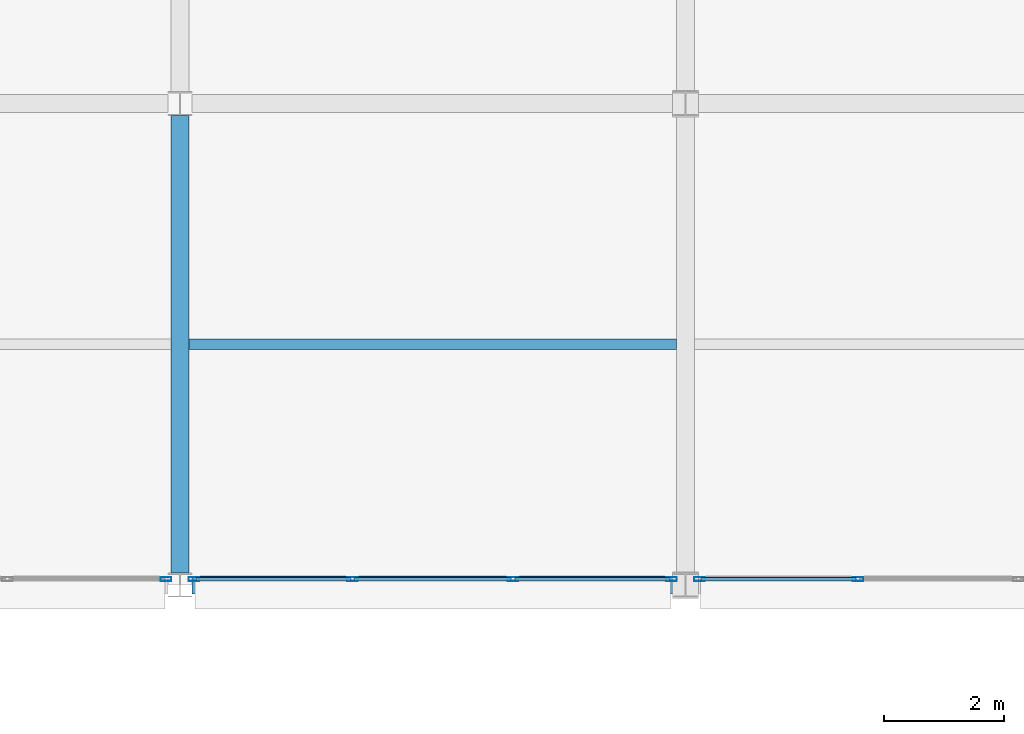
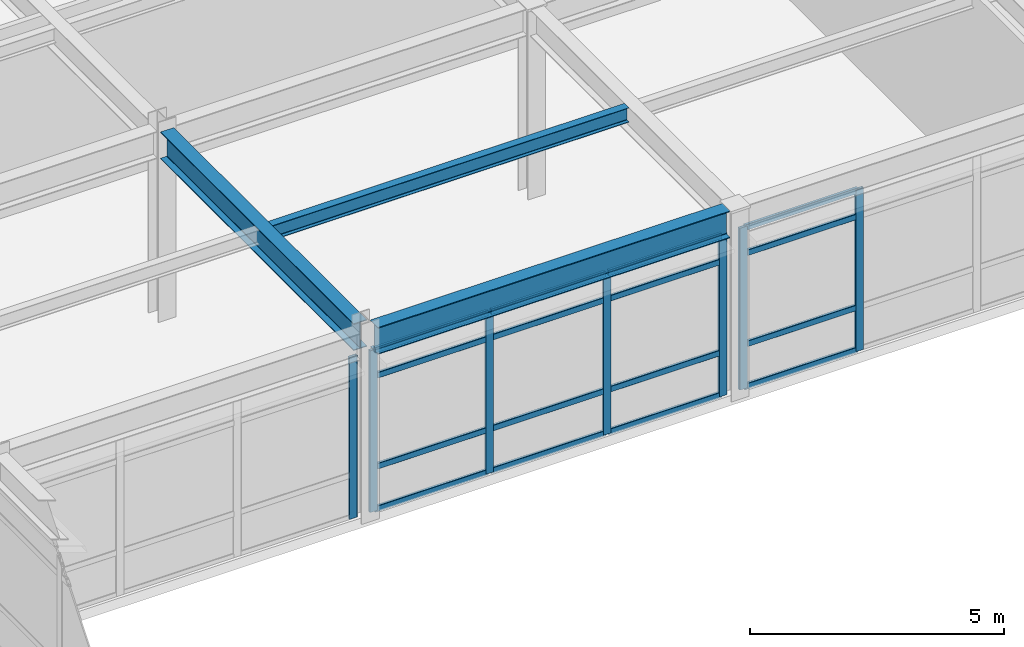
# One storey, part 22 of 93: 23 members, 3 beams, 3 elements without a shape of their own.
"""IFC4 building model written with IfcOpenShell, lengths in metres."""

from ifc_helpers import new_model, si_unit, direction, frame, origin, origin_2d, place, context, subcontext, project, spatial, hollow_rectangle, i_section, extrude, material, layer, layer_set, material_profile, profile_set, type_object, element, aggregate, save


model = new_model("IFC4")

# Units and contexts
model_context = context("Model", 3, precision=1e-05, world=origin(), true_north=direction((0.0, 1.0)))
body_context = subcontext(model_context, "Body", "Model", "MODEL_VIEW")
ifc_project = project(units=[si_unit("LENGTHUNIT", "METRE"), si_unit("AREAUNIT", "SQUARE_METRE"), si_unit("VOLUMEUNIT", "CUBIC_METRE"), si_unit("PLANEANGLEUNIT", "RADIAN"), si_unit("MASSUNIT", "GRAM", prefix="KILO")], contexts=[model_context])

# Site, building, storey
site_placement = place(None, origin())
site = spatial("IfcSite", under=ifc_project, at=site_placement, CompositionType="ELEMENT")
building_placement = place(site_placement, origin())
building = spatial("IfcBuilding", under=site, at=building_placement, Name="Kazehara Bluff Congress Hotel", CompositionType="ELEMENT")
storey_placement = place(building_placement, frame((0.0, 0.0, 15.0)))
storey = spatial("IfcBuildingStorey", under=building, at=storey_placement, Name="L03", CompositionType="ELEMENT", Elevation=15.0)

# Curtain wall, member
ifc_material_1 = material(Name="Anodised aluminium", Category="aluminium")
ifc_layer = layer(ifc_material_1, 0.159912109375)
ifc_layer_set = layer_set([ifc_layer], Name="Anodised aluminium")
curtain_wall_type = type_object("IfcCurtainWallType", Name="TP-CW-143", PredefinedType="NOTDEFINED", material=ifc_layer_set)
curtain_wall_1_placement = place(storey_placement, origin())
curtain_wall_1 = element("IfcCurtainWall", 1, at=curtain_wall_1_placement, inside=storey, type_object=curtain_wall_type, Name="L03 curtain wall CW-143 CW-ENC-V4-L03-8025-1610", PredefinedType="NOTDEFINED")
ifc_material_2 = material(Name="Anodised aluminium", Category="aluminium")
ifc_material_profile_1 = material_profile(ifc_material_2, hollow_rectangle(XDim=0.06494140625, YDim=0.179931640625, WallThickness=0.00390625, InnerFilletRadius=0.00390625, OuterFilletRadius=0.008056640625, at=origin_2d()))
ifc_profile_set_1 = profile_set([ifc_material_profile_1], Name="Anodised aluminium")
member_type_1 = type_object("IfcMemberType", Name="TP-CWM-02", PredefinedType="MULLION", material=ifc_profile_set_1)
member_1_placement = place(storey_placement, frame((84.217529296875, 16.10009765625, 0.0), z_axis=(0.0, 0.0, 1.0), x_axis=(0.0, -1.0, 0.0)))
member_1 = element("IfcMember", 2, at=member_1_placement, type_object=member_type_1, Name="CW-143 mullion 1", PredefinedType="MULLION", context=body_context, shape_type="SweptSolid", body=[
    extrude(hollow_rectangle(XDim=0.06494140625, YDim=0.179931640625, WallThickness=0.00390625, InnerFilletRadius=0.00390625, OuterFilletRadius=0.008056640625, at=origin_2d()), origin(), (0.0, 0.0, 1.0), 3.885009765625),
])
aggregate(curtain_wall_1, [member_1])

# Curtain wall, members
curtain_wall_2_placement = place(storey_placement, origin())
curtain_wall_2 = element("IfcCurtainWall", 3, at=curtain_wall_2_placement, inside=storey, type_object=curtain_wall_type, Name="L03 curtain wall CW-143 CW-ENC-V4-L03-8865-1610", PredefinedType="NOTDEFINED")
member_2_placement = place(storey_placement, frame((92.617431640625, 16.10009765625, 0.0), z_axis=(0.0, 0.0, 1.0), x_axis=(0.0, -1.0, 0.0)))
member_2 = element("IfcMember", 4, at=member_2_placement, type_object=member_type_1, Name="CW-143 mullion 1", PredefinedType="MULLION", context=body_context, shape_type="SweptSolid", body=[
    extrude(hollow_rectangle(XDim=0.06494140625, YDim=0.179931640625, WallThickness=0.00390625, InnerFilletRadius=0.00390625, OuterFilletRadius=0.008056640625, at=origin_2d()), origin(), (0.0, 0.0, 1.0), 3.885009765625),
])
member_3_placement = place(storey_placement, frame((89.9833984375, 16.10009765625, 0.0), z_axis=(0.0, 0.0, 1.0), x_axis=(0.0, -1.0, 0.0)))
member_3 = element("IfcMember", 5, at=member_3_placement, type_object=member_type_1, Name="CW-143 mullion 2", PredefinedType="MULLION", context=body_context, shape_type="SweptSolid", body=[
    extrude(hollow_rectangle(XDim=0.06494140625, YDim=0.179931640625, WallThickness=0.00390625, InnerFilletRadius=0.00390625, OuterFilletRadius=0.008056640625, at=origin_2d()), origin(), (0.0, 0.0, 1.0), 3.885009765625),
])
member_4_placement = place(storey_placement, frame((87.316650390625, 16.10009765625, 0.0), z_axis=(0.0, 0.0, 1.0), x_axis=(0.0, -1.0, 0.0)))
member_4 = element("IfcMember", 6, at=member_4_placement, type_object=member_type_1, Name="CW-143 mullion 3", PredefinedType="MULLION", context=body_context, shape_type="SweptSolid", body=[
    extrude(hollow_rectangle(XDim=0.06494140625, YDim=0.179931640625, WallThickness=0.00390625, InnerFilletRadius=0.00390625, OuterFilletRadius=0.008056640625, at=origin_2d()), origin(), (0.0, 0.0, 1.0), 3.885009765625),
])
member_5_placement = place(storey_placement, frame((84.6826171875, 16.10009765625, 0.0), z_axis=(0.0, 0.0, 1.0), x_axis=(0.0, -1.0, 0.0)))
member_5 = element("IfcMember", 7, at=member_5_placement, type_object=member_type_1, Name="CW-143 mullion 4", PredefinedType="MULLION", context=body_context, shape_type="SweptSolid", body=[
    extrude(hollow_rectangle(XDim=0.06494140625, YDim=0.179931640625, WallThickness=0.00390625, InnerFilletRadius=0.00390625, OuterFilletRadius=0.008056640625, at=origin_2d()), origin(), (0.0, 0.0, 1.0), 3.885009765625),
])

curtain_wall_3_placement = place(storey_placement, origin())
curtain_wall_3 = element("IfcCurtainWall", 8, at=curtain_wall_3_placement, inside=storey, type_object=curtain_wall_type, Name="L03 curtain wall CW-143 CW-ENC-V4-L03-9705-1610", PredefinedType="NOTDEFINED")
member_6_placement = place(storey_placement, frame((95.716552734375, 16.10009765625, 0.0), z_axis=(0.0, 0.0, 1.0), x_axis=(0.0, -1.0, 0.0)))
member_6 = element("IfcMember", 9, at=member_6_placement, type_object=member_type_1, Name="CW-143 mullion 3", PredefinedType="MULLION", context=body_context, shape_type="SweptSolid", body=[
    extrude(hollow_rectangle(XDim=0.06494140625, YDim=0.179931640625, WallThickness=0.00390625, InnerFilletRadius=0.00390625, OuterFilletRadius=0.008056640625, at=origin_2d()), origin(), (0.0, 0.0, 1.0), 3.885009765625),
])
member_7_placement = place(storey_placement, frame((93.08251953125, 16.10009765625, 0.0), z_axis=(0.0, 0.0, 1.0), x_axis=(0.0, -1.0, 0.0)))
member_7 = element("IfcMember", 10, at=member_7_placement, type_object=member_type_1, Name="CW-143 mullion 4", PredefinedType="MULLION", context=body_context, shape_type="SweptSolid", body=[
    extrude(hollow_rectangle(XDim=0.06494140625, YDim=0.179931640625, WallThickness=0.00390625, InnerFilletRadius=0.00390625, OuterFilletRadius=0.008056640625, at=origin_2d()), origin(), (0.0, 0.0, 1.0), 3.885009765625),
])

# Member
ifc_material_3 = material(Name="Anodised aluminium", Category="aluminium")
ifc_material_profile_2 = material_profile(ifc_material_3, hollow_rectangle(XDim=0.06494140625, YDim=0.139892578125, WallThickness=0.00390625, InnerFilletRadius=0.00390625, OuterFilletRadius=0.008056640625, at=origin_2d()))
ifc_profile_set_2 = profile_set([ifc_material_profile_2], Name="Anodised aluminium")
member_type_2 = type_object("IfcMemberType", Name="TP-CWT-02", PredefinedType="USERDEFINED", material=ifc_profile_set_2)
member_8_placement = place(storey_placement, frame((92.5849609375, 16.10009765625, 0.032470703125), z_axis=(-1.0, 0.0, 0.0), x_axis=(0.0, -1.0, 0.0)))
member_8 = element("IfcMember", 11, at=member_8_placement, type_object=member_type_2, Name="CW-143 transom 1.1", ObjectType="TRANSOM", PredefinedType="USERDEFINED", context=body_context, shape_type="SweptSolid", body=[
    extrude(hollow_rectangle(XDim=0.06494140625, YDim=0.139892578125, WallThickness=0.00390625, InnerFilletRadius=0.00390625, OuterFilletRadius=0.008056640625, at=origin_2d()), origin(), (0.0, 0.0, 1.0), 2.569091796875),
])

member_9_placement = place(storey_placement, frame((92.5849609375, 16.10009765625, 1.050048828125), z_axis=(-1.0, 0.0, 0.0), x_axis=(0.0, -1.0, 0.0)))
member_9 = element("IfcMember", 12, at=member_9_placement, type_object=member_type_2, Name="CW-143 transom 1.2", ObjectType="TRANSOM", PredefinedType="USERDEFINED", context=body_context, shape_type="SweptSolid", body=[
    extrude(hollow_rectangle(XDim=0.06494140625, YDim=0.139892578125, WallThickness=0.00390625, InnerFilletRadius=0.00390625, OuterFilletRadius=0.008056640625, at=origin_2d()), origin(), (0.0, 0.0, 1.0), 2.569091796875),
])

member_10_placement = place(storey_placement, frame((92.5849609375, 16.10009765625, 3.235107421875), z_axis=(-1.0, 0.0, 0.0), x_axis=(0.0, -1.0, 0.0)))
member_10 = element("IfcMember", 13, at=member_10_placement, type_object=member_type_2, Name="CW-143 transom 1.3", ObjectType="TRANSOM", PredefinedType="USERDEFINED", context=body_context, shape_type="SweptSolid", body=[
    extrude(hollow_rectangle(XDim=0.06494140625, YDim=0.139892578125, WallThickness=0.00390625, InnerFilletRadius=0.00390625, OuterFilletRadius=0.008056640625, at=origin_2d()), origin(), (0.0, 0.0, 1.0), 2.569091796875),
])

member_11_placement = place(storey_placement, frame((92.5849609375, 16.10009765625, 3.8525390625), z_axis=(-1.0, 0.0, 0.0), x_axis=(0.0, -1.0, 0.0)))
member_11 = element("IfcMember", 14, at=member_11_placement, type_object=member_type_2, Name="CW-143 transom 1.4", ObjectType="TRANSOM", PredefinedType="USERDEFINED", context=body_context, shape_type="SweptSolid", body=[
    extrude(hollow_rectangle(XDim=0.06494140625, YDim=0.139892578125, WallThickness=0.00390625, InnerFilletRadius=0.00390625, OuterFilletRadius=0.008056640625, at=origin_2d()), origin(), (0.0, 0.0, 1.0), 2.569091796875),
])

member_12_placement = place(storey_placement, frame((89.950927734375, 16.10009765625, 0.032470703125), z_axis=(-1.0, 0.0, 0.0), x_axis=(0.0, -1.0, 0.0)))
member_12 = element("IfcMember", 15, at=member_12_placement, type_object=member_type_2, Name="CW-143 transom 2.1", ObjectType="TRANSOM", PredefinedType="USERDEFINED", context=body_context, shape_type="SweptSolid", body=[
    extrude(hollow_rectangle(XDim=0.06494140625, YDim=0.139892578125, WallThickness=0.00390625, InnerFilletRadius=0.00390625, OuterFilletRadius=0.008056640625, at=origin_2d()), origin(), (0.0, 0.0, 1.0), 2.601806640625),
])

member_13_placement = place(storey_placement, frame((89.950927734375, 16.10009765625, 1.050048828125), z_axis=(-1.0, 0.0, 0.0), x_axis=(0.0, -1.0, 0.0)))
member_13 = element("IfcMember", 16, at=member_13_placement, type_object=member_type_2, Name="CW-143 transom 2.2", ObjectType="TRANSOM", PredefinedType="USERDEFINED", context=body_context, shape_type="SweptSolid", body=[
    extrude(hollow_rectangle(XDim=0.06494140625, YDim=0.139892578125, WallThickness=0.00390625, InnerFilletRadius=0.00390625, OuterFilletRadius=0.008056640625, at=origin_2d()), origin(), (0.0, 0.0, 1.0), 2.601806640625),
])

member_14_placement = place(storey_placement, frame((89.950927734375, 16.10009765625, 3.235107421875), z_axis=(-1.0, 0.0, 0.0), x_axis=(0.0, -1.0, 0.0)))
member_14 = element("IfcMember", 17, at=member_14_placement, type_object=member_type_2, Name="CW-143 transom 2.3", ObjectType="TRANSOM", PredefinedType="USERDEFINED", context=body_context, shape_type="SweptSolid", body=[
    extrude(hollow_rectangle(XDim=0.06494140625, YDim=0.139892578125, WallThickness=0.00390625, InnerFilletRadius=0.00390625, OuterFilletRadius=0.008056640625, at=origin_2d()), origin(), (0.0, 0.0, 1.0), 2.601806640625),
])

member_15_placement = place(storey_placement, frame((89.950927734375, 16.10009765625, 3.8525390625), z_axis=(-1.0, 0.0, 0.0), x_axis=(0.0, -1.0, 0.0)))
member_15 = element("IfcMember", 18, at=member_15_placement, type_object=member_type_2, Name="CW-143 transom 2.4", ObjectType="TRANSOM", PredefinedType="USERDEFINED", context=body_context, shape_type="SweptSolid", body=[
    extrude(hollow_rectangle(XDim=0.06494140625, YDim=0.139892578125, WallThickness=0.00390625, InnerFilletRadius=0.00390625, OuterFilletRadius=0.008056640625, at=origin_2d()), origin(), (0.0, 0.0, 1.0), 2.601806640625),
])

member_16_placement = place(storey_placement, frame((87.2841796875, 16.10009765625, 0.032470703125), z_axis=(-1.0, 0.0, 0.0), x_axis=(0.0, -1.0, 0.0)))
member_16 = element("IfcMember", 19, at=member_16_placement, type_object=member_type_2, Name="CW-143 transom 3.1", ObjectType="TRANSOM", PredefinedType="USERDEFINED", context=body_context, shape_type="SweptSolid", body=[
    extrude(hollow_rectangle(XDim=0.06494140625, YDim=0.139892578125, WallThickness=0.00390625, InnerFilletRadius=0.00390625, OuterFilletRadius=0.008056640625, at=origin_2d()), origin(), (0.0, 0.0, 1.0), 2.569091796875),
])

member_17_placement = place(storey_placement, frame((87.2841796875, 16.10009765625, 1.050048828125), z_axis=(-1.0, 0.0, 0.0), x_axis=(0.0, -1.0, 0.0)))
member_17 = element("IfcMember", 20, at=member_17_placement, type_object=member_type_2, Name="CW-143 transom 3.2", ObjectType="TRANSOM", PredefinedType="USERDEFINED", context=body_context, shape_type="SweptSolid", body=[
    extrude(hollow_rectangle(XDim=0.06494140625, YDim=0.139892578125, WallThickness=0.00390625, InnerFilletRadius=0.00390625, OuterFilletRadius=0.008056640625, at=origin_2d()), origin(), (0.0, 0.0, 1.0), 2.569091796875),
])

member_18_placement = place(storey_placement, frame((87.2841796875, 16.10009765625, 3.235107421875), z_axis=(-1.0, 0.0, 0.0), x_axis=(0.0, -1.0, 0.0)))
member_18 = element("IfcMember", 21, at=member_18_placement, type_object=member_type_2, Name="CW-143 transom 3.3", ObjectType="TRANSOM", PredefinedType="USERDEFINED", context=body_context, shape_type="SweptSolid", body=[
    extrude(hollow_rectangle(XDim=0.06494140625, YDim=0.139892578125, WallThickness=0.00390625, InnerFilletRadius=0.00390625, OuterFilletRadius=0.008056640625, at=origin_2d()), origin(), (0.0, 0.0, 1.0), 2.569091796875),
])

member_19_placement = place(storey_placement, frame((87.2841796875, 16.10009765625, 3.8525390625), z_axis=(-1.0, 0.0, 0.0), x_axis=(0.0, -1.0, 0.0)))
member_19 = element("IfcMember", 22, at=member_19_placement, type_object=member_type_2, Name="CW-143 transom 3.4", ObjectType="TRANSOM", PredefinedType="USERDEFINED", context=body_context, shape_type="SweptSolid", body=[
    extrude(hollow_rectangle(XDim=0.06494140625, YDim=0.139892578125, WallThickness=0.00390625, InnerFilletRadius=0.00390625, OuterFilletRadius=0.008056640625, at=origin_2d()), origin(), (0.0, 0.0, 1.0), 2.569091796875),
])

aggregate(curtain_wall_2, [member_2, member_3, member_4, member_5, member_8, member_9, member_10, member_11, member_12, member_13, member_14, member_15, member_16, member_17, member_18, member_19])

member_20_placement = place(storey_placement, frame((95.68408203125, 16.10009765625, 0.032470703125), z_axis=(-1.0, 0.0, 0.0), x_axis=(0.0, -1.0, 0.0)))
member_20 = element("IfcMember", 23, at=member_20_placement, type_object=member_type_2, Name="CW-143 transom 3.1", ObjectType="TRANSOM", PredefinedType="USERDEFINED", context=body_context, shape_type="SweptSolid", body=[
    extrude(hollow_rectangle(XDim=0.06494140625, YDim=0.139892578125, WallThickness=0.00390625, InnerFilletRadius=0.00390625, OuterFilletRadius=0.008056640625, at=origin_2d()), origin(), (0.0, 0.0, 1.0), 2.569091796875),
])

member_21_placement = place(storey_placement, frame((95.68408203125, 16.10009765625, 1.050048828125), z_axis=(-1.0, 0.0, 0.0), x_axis=(0.0, -1.0, 0.0)))
member_21 = element("IfcMember", 24, at=member_21_placement, type_object=member_type_2, Name="CW-143 transom 3.2", ObjectType="TRANSOM", PredefinedType="USERDEFINED", context=body_context, shape_type="SweptSolid", body=[
    extrude(hollow_rectangle(XDim=0.06494140625, YDim=0.139892578125, WallThickness=0.00390625, InnerFilletRadius=0.00390625, OuterFilletRadius=0.008056640625, at=origin_2d()), origin(), (0.0, 0.0, 1.0), 2.569091796875),
])

member_22_placement = place(storey_placement, frame((95.68408203125, 16.10009765625, 3.235107421875), z_axis=(-1.0, 0.0, 0.0), x_axis=(0.0, -1.0, 0.0)))
member_22 = element("IfcMember", 25, at=member_22_placement, type_object=member_type_2, Name="CW-143 transom 3.3", ObjectType="TRANSOM", PredefinedType="USERDEFINED", context=body_context, shape_type="SweptSolid", body=[
    extrude(hollow_rectangle(XDim=0.06494140625, YDim=0.139892578125, WallThickness=0.00390625, InnerFilletRadius=0.00390625, OuterFilletRadius=0.008056640625, at=origin_2d()), origin(), (0.0, 0.0, 1.0), 2.569091796875),
])

member_23_placement = place(storey_placement, frame((95.68408203125, 16.10009765625, 3.8525390625), z_axis=(-1.0, 0.0, 0.0), x_axis=(0.0, -1.0, 0.0)))
member_23 = element("IfcMember", 26, at=member_23_placement, type_object=member_type_2, Name="CW-143 transom 3.4", ObjectType="TRANSOM", PredefinedType="USERDEFINED", context=body_context, shape_type="SweptSolid", body=[
    extrude(hollow_rectangle(XDim=0.06494140625, YDim=0.139892578125, WallThickness=0.00390625, InnerFilletRadius=0.00390625, OuterFilletRadius=0.008056640625, at=origin_2d()), origin(), (0.0, 0.0, 1.0), 2.569091796875),
])

aggregate(curtain_wall_3, [member_6, member_7, member_20, member_21, member_22, member_23])

# Beams
ifc_material_4 = material(Name="Steel SN490B", Category="steel")
ifc_material_profile_3 = material_profile(ifc_material_4, i_section(OverallWidth=0.300048828125, OverallDepth=0.64990234375, WebThickness=0.011962890625, FlangeThickness=0.02001953125, FilletRadius=0.012939453125, at=origin_2d()))
ifc_profile_set_3 = profile_set([ifc_material_profile_3], Name="Steel SN490B")
beam_type_1 = type_object("IfcBeamType", Name="TP-G-03", PredefinedType="BEAM", material=ifc_profile_set_3)
beam_1_placement = place(storey_placement, frame((84.449951171875, 16.199951171875, 4.235107421875), z_axis=(0.0, 1.0, 0.0), x_axis=(-1.0, 0.0, 0.0)))
element("IfcBeam", 27, at=beam_1_placement, inside=storey, type_object=beam_type_1, Name="L03 girder G-03 57", PredefinedType="BEAM", context=body_context, shape_type="SweptSolid", body=[
    extrude(i_section(OverallWidth=0.300048828125, OverallDepth=0.64990234375, WebThickness=0.011962890625, FlangeThickness=0.02001953125, FilletRadius=0.012939453125, at=origin_2d()), origin(), (0.0, 0.0, 1.0), 7.60009765625),
])
beam_2_placement = place(storey_placement, frame((84.64990234375, 16.0, 4.235107421875), z_axis=(1.0, 0.0, 0.0), x_axis=(0.0, 1.0, 0.0)))
element("IfcBeam", 28, at=beam_2_placement, inside=storey, type_object=beam_type_1, Name="L03 girder G-03 76", PredefinedType="BEAM", context=body_context, shape_type="SweptSolid", body=[
    extrude(i_section(OverallWidth=0.300048828125, OverallDepth=0.64990234375, WebThickness=0.011962890625, FlangeThickness=0.02001953125, FilletRadius=0.012939453125, at=origin_2d()), origin(), (0.0, 0.0, 1.0), 8.0),
])
ifc_material_5 = material(Name="Steel SN400B", Category="steel")
ifc_material_profile_4 = material_profile(ifc_material_5, i_section(OverallWidth=0.175048828125, OverallDepth=0.35009765625, WebThickness=0.007080078125, FlangeThickness=0.010986328125, FilletRadius=0.012939453125, at=origin_2d()))
ifc_profile_set_4 = profile_set([ifc_material_profile_4], Name="Steel SN400B")
beam_type_2 = type_object("IfcBeamType", Name="TP-J-02", PredefinedType="JOIST", material=ifc_profile_set_4)
beam_3_placement = place(storey_placement, frame((84.60009765625, 20.0, 4.385009765625), z_axis=(1.0, 0.0, 0.0), x_axis=(0.0, 1.0, 0.0)))
element("IfcBeam", 29, at=beam_3_placement, inside=storey, type_object=beam_type_2, Name="L03 secondary joist J-02 13", PredefinedType="JOIST", context=body_context, shape_type="SweptSolid", body=[
    extrude(i_section(OverallWidth=0.175048828125, OverallDepth=0.35009765625, WebThickness=0.007080078125, FlangeThickness=0.010986328125, FilletRadius=0.012939453125, at=origin_2d()), origin(), (0.0, 0.0, 1.0), 8.099853515625),
])

save(model, "model.ifc")
